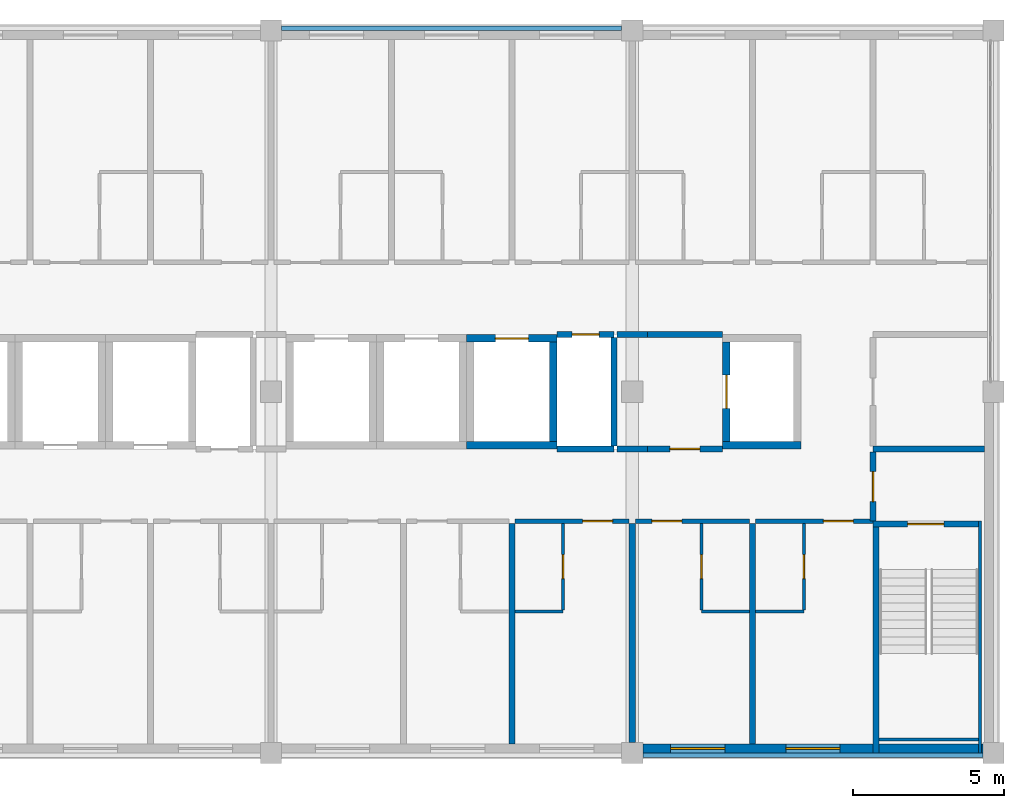
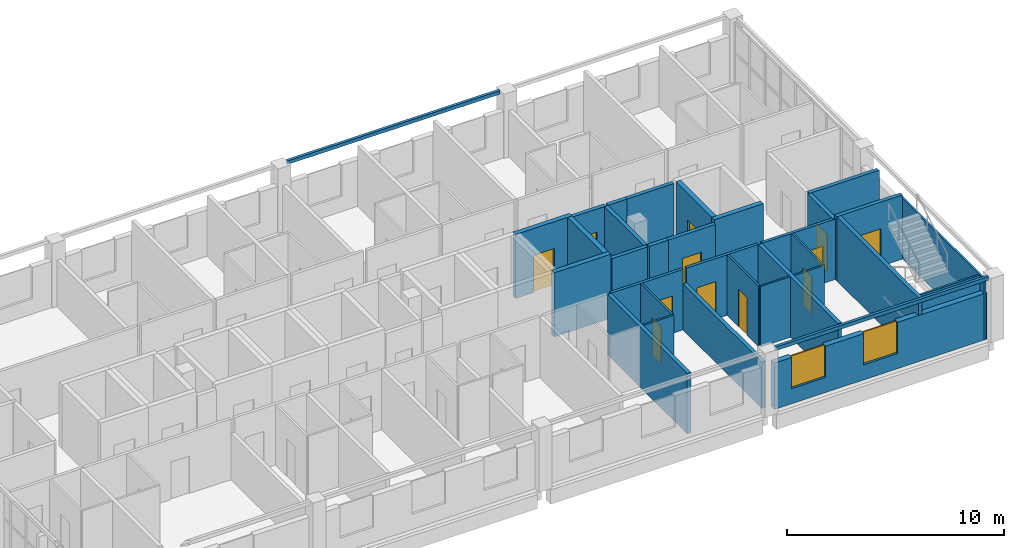
# One storey, part 9 of 11: 33 walls, 12 doors, 2 windows, 14 openings.
"""IFC4 building model written with IfcOpenShell, lengths in metres."""

import ifcopenshell
import ifcopenshell.guid

model = None  # the IFC model being written
_history = None  # IfcOwnerHistory: only IFC2X3 demands one
_inside = {}  # id of a spatial element -> (the spatial element, [elements in it])
_under = {}  # id of a project, library or spatial element -> (it, [spatial elements below it])
_declared = {}  # id of a project -> (the project, [libraries it declares])
_typed = {}  # id of a type object -> (the type object, [elements of that type])
_made_of = {}  # id of a material, layer set ... -> (it, [elements and type objects made of it])


def new_model(schema):
    """Start an empty IFC model of exactly this schema.

    Asked for "IFC4X3", IfcOpenShell would pick the latest addendum, in which some entities
    have other attributes; the version numbers below select the first issue.
    IFC2X3 requires an IfcOwnerHistory on every rooted entity: one is made here for all.
    """
    global model, _history
    if schema == "IFC4X3":
        model = ifcopenshell.file(schema_version=(4, 3, 0, 0))
    else:
        model = ifcopenshell.file(schema=schema)
    _inside.clear()
    _under.clear()
    _declared.clear()
    _typed.clear()
    _made_of.clear()
    _history = None
    if model.schema == "IFC2X3":
        org = make("IfcOrganization", Name="unknown")
        user = make(
            "IfcPersonAndOrganization",
            ThePerson=make("IfcPerson", FamilyName="unknown"),
            TheOrganization=org,
        )
        app = make(
            "IfcApplication",
            ApplicationDeveloper=org,
            Version="unknown",
            ApplicationFullName="unknown",
            ApplicationIdentifier="unknown",
        )
        _history = make(
            "IfcOwnerHistory",
            OwningUser=user,
            OwningApplication=app,
            ChangeAction="ADDED",
            CreationDate=0,
        )
    return model


def make(cls, **values):
    """One entity of the class cls with the attributes given. An attribute that is None is left unset."""
    return model.create_entity(
        cls, **{name: value for name, value in values.items() if value is not None}
    )


def rooted(cls, **values):
    """An entity with a GlobalId (a new one), such as an element, a storey or a relation."""
    return make(cls, GlobalId=ifcopenshell.guid.new(), OwnerHistory=_history, **values)


def si_unit(unit_type, name, prefix=None):
    """IfcSIUnit, for example si_unit("LENGTHUNIT", "METRE", prefix="MILLI")."""
    return make("IfcSIUnit", UnitType=unit_type, Prefix=prefix, Name=name)


def assignment(units):
    """IfcUnitAssignment: the units of a project."""
    return None if units is None else make("IfcUnitAssignment", Units=units)


def point(xyz):
    """IfcCartesianPoint."""
    return None if xyz is None else make("IfcCartesianPoint", Coordinates=xyz)


def direction(xyz):
    """IfcDirection."""
    return None if xyz is None else make("IfcDirection", DirectionRatios=xyz)


def frame(location, z_axis=None, x_axis=None):
    """IfcAxis2Placement3D, a coordinate frame: its origin and axes. An axis left out is left unset."""
    return make(
        "IfcAxis2Placement3D",
        Location=point(location),
        Axis=direction(z_axis),
        RefDirection=direction(x_axis),
    )


def frame_2d(location, x_axis=None):
    """IfcAxis2Placement2D, a coordinate frame in the plane: its origin and x axis."""
    return make(
        "IfcAxis2Placement2D", Location=point(location), RefDirection=direction(x_axis)
    )


def origin():
    """The frame at (0, 0, 0) with its axes left unset."""
    return frame((0.0, 0.0, 0.0))


def place(relative_to, where):
    """IfcLocalPlacement: puts the frame where relative to a parent placement (None: the world)."""
    return make(
        "IfcLocalPlacement", PlacementRelTo=relative_to, RelativePlacement=where
    )


def context(
    kind, dimensions, precision=None, world=None, true_north=None, identifier=None
):
    """IfcGeometricRepresentationContext, for example the 3D "Model" context."""
    return make(
        "IfcGeometricRepresentationContext",
        ContextIdentifier=identifier,
        ContextType=kind,
        CoordinateSpaceDimension=dimensions,
        Precision=precision,
        WorldCoordinateSystem=world,
        TrueNorth=true_north,
    )


def subcontext(parent, identifier, kind, view, scale=None):
    """IfcGeometricRepresentationSubContext, for example "Body" below "Model"."""
    return make(
        "IfcGeometricRepresentationSubContext",
        ContextIdentifier=identifier,
        ContextType=kind,
        ParentContext=parent,
        TargetScale=scale,
        TargetView=view,
    )


def project(units=None, contexts=None):
    """IfcProject with its units and contexts."""
    return rooted(
        "IfcProject",
        Name="project",
        RepresentationContexts=contexts,
        UnitsInContext=assignment(units),
    )


def spatial(cls, under=None, at=None, **own):
    """A site, building, storey or space (cls), placed at a placement, below another one or the project."""
    s = rooted(cls, ObjectPlacement=at, **own)
    if under is not None:
        _under.setdefault(under.id(), (under, []))[1].append(s)
    return s


def profile(cls, at=None, kind="AREA", **sizes):
    """A parametric profile (cls). Its sizes go by their IFC names, for example OverallWidth=200.0."""
    return make(cls, ProfileType=kind, Position=at, **sizes)


def rectangle(**sizes):
    """IfcRectangleProfileDef."""
    return profile("IfcRectangleProfileDef", **sizes)


def extrude(swept, where, along, depth):
    """IfcExtrudedAreaSolid: the profile swept, set in the frame where, extruded along a direction by depth."""
    return make(
        "IfcExtrudedAreaSolid",
        SweptArea=swept,
        Position=where,
        ExtrudedDirection=direction(along),
        Depth=depth,
    )


def shape(context_of_items, identifier, shape_type, items):
    """IfcShapeRepresentation: the items that make up one representation, for example the "Body"."""
    return make(
        "IfcShapeRepresentation",
        ContextOfItems=context_of_items,
        RepresentationIdentifier=identifier,
        RepresentationType=shape_type,
        Items=items,
    )


def material(Name=None, Category=None):
    """IfcMaterial."""
    return make("IfcMaterial", Name=Name, Category=Category)


def layer(
    of_material, thickness, ventilated=None, Name=None, Category=None, Priority=None
):
    """IfcMaterialLayer: one layer of a wall or slab, of a material (None: an air gap)."""
    return make(
        "IfcMaterialLayer",
        Material=of_material,
        LayerThickness=thickness,
        IsVentilated=ventilated,
        Name=Name,
        Category=Category,
        Priority=Priority,
    )


def layer_set(layers, Name=None):
    """IfcMaterialLayerSet."""
    return make("IfcMaterialLayerSet", MaterialLayers=layers, LayerSetName=Name)


def made_of(thing, what):
    """Note that an element or type object is made of a material, layer set ...; save() writes the relation."""
    if what is not None:
        _made_of.setdefault(what.id(), (what, []))[1].append(thing)
    return thing


def type_object(cls, material=None, **own):
    """A type object (cls), such as IfcWallType, which elements share."""
    return made_of(rooted(cls, **own), material)


def element(
    cls,
    number,
    at=None,
    inside=None,
    cuts=None,
    type_object=None,
    material=None,
    context=None,
    identifier="Body",
    shape_type=None,
    held_by="IfcProductDefinitionShape",
    body=None,
    shapes=None,
    **own,
):
    """One element of the class cls, such as IfcWall. Its Tag is "e" and its number.

    at: its placement. inside: the storey or other place that contains it. cuts: it is an
    opening in that element (IfcRelVoidsElement). A single representation is given by context,
    identifier, shape_type and body (its items); several are given by shapes. held_by: the class
    of the entity that holds the representations. save() writes the other relations.
    """
    e = rooted(cls, Tag="e%d" % number, ObjectPlacement=at, **own)
    if body is not None:
        shapes = [shape(context, identifier, shape_type, body)]
    if shapes is not None:
        e.Representation = make(held_by, Representations=shapes)
    if inside is not None:
        _inside.setdefault(inside.id(), (inside, []))[1].append(e)
    if cuts is not None:
        rooted(
            "IfcRelVoidsElement", RelatingBuildingElement=cuts, RelatedOpeningElement=e
        )
    if type_object is not None:
        _typed.setdefault(type_object.id(), (type_object, []))[1].append(e)
    return made_of(e, material)


def fill(opening, filler):
    """IfcRelFillsElement: the door or window that sits in an opening."""
    return rooted(
        "IfcRelFillsElement",
        RelatingOpeningElement=opening,
        RelatedBuildingElement=filler,
    )


def aggregate(whole, parts):
    """IfcRelAggregates: a whole, such as a stair, and the parts it consists of."""
    return rooted("IfcRelAggregates", RelatingObject=whole, RelatedObjects=parts)


def save(model, path):
    """Write the relations noted so far, then the file.

    IfcRelAggregates (storeys below a building ...), IfcRelContainedInSpatialStructure (elements
    in a storey), IfcRelDefinesByType, IfcRelAssociatesMaterial and IfcRelDeclares: one each for
    every whole, place, type object, material and project.
    """
    for whole, parts in _under.values():
        aggregate(whole, parts)
    for where, things in _inside.values():
        rooted(
            "IfcRelContainedInSpatialStructure",
            RelatedElements=things,
            RelatingStructure=where,
        )
    for kind, things in _typed.values():
        rooted("IfcRelDefinesByType", RelatedObjects=things, RelatingType=kind)
    for what, things in _made_of.values():
        rooted("IfcRelAssociatesMaterial", RelatedObjects=things, RelatingMaterial=what)
    for by, libraries in _declared.values():
        rooted("IfcRelDeclares", RelatingContext=by, RelatedDefinitions=libraries)
    model.write(path)


model = new_model("IFC4")

# Units and contexts
model_context = context("Model", 3, precision=1e-05, world=origin(), true_north=direction((0.0, 1.0)))
body_context = subcontext(model_context, "Body", "Model", "MODEL_VIEW")
ifc_project = project(units=[si_unit("LENGTHUNIT", "METRE"), si_unit("AREAUNIT", "SQUARE_METRE"), si_unit("VOLUMEUNIT", "CUBIC_METRE"), si_unit("PLANEANGLEUNIT", "RADIAN"), si_unit("MASSUNIT", "GRAM", prefix="KILO")], contexts=[model_context])

# Site, building, storey
site_placement = place(None, origin())
site = spatial("IfcSite", under=ifc_project, at=site_placement, CompositionType="ELEMENT")
building_placement = place(site_placement, origin())
building = spatial("IfcBuilding", under=site, at=building_placement, Name="Lilac Gate Convention Centre", CompositionType="ELEMENT")
storey_placement = place(building_placement, frame((0.0, 0.0, 53.39990234375)))
storey = spatial("IfcBuildingStorey", under=building, at=storey_placement, Name="L13", CompositionType="ELEMENT", Elevation=53.39990234375)

# Walls
ifc_material_1 = material(Name="Concrete C40", Category="concrete")
ifc_layer_1 = layer(ifc_material_1, 0.10009765625)
ifc_layer_set_1 = layer_set([ifc_layer_1], Name="Concrete C40")
wall_type_1 = type_object("IfcWallType", Name="Core wall 100 C40", PredefinedType="SHEAR", material=ifc_layer_set_1)
wall_1_placement = place(storey_placement, frame((89.550048828125, 229.699951171875, 0.0), z_axis=(0.0, 0.0, 1.0), x_axis=(0.0, -1.0, 0.0)))
element("IfcWall", 1, at=wall_1_placement, inside=storey, type_object=wall_type_1, Name="CRW10 core wall TS-EX L13 1", PredefinedType="SHEAR", context=body_context, shape_type="SweptSolid", body=[
    extrude(rectangle(XDim=7.699951171875, YDim=0.10009765625, at=frame_2d((3.85009765625, 0.0))), origin(), (0.0, 0.0, 1.0), 3.400146484375),
])
wall_2_placement = place(storey_placement, frame((89.5, 222.449951171875, 0.0), z_axis=(0.0, 0.0, 1.0), x_axis=(-1.0, 0.0, 0.0)))
element("IfcWall", 2, at=wall_2_placement, inside=storey, type_object=wall_type_1, Name="CRW10 core wall TS-EX L13 2", PredefinedType="SHEAR", context=body_context, shape_type="SweptSolid", body=[
    extrude(rectangle(XDim=3.300048828125, YDim=0.10009765625, at=frame_2d((1.64990234375, 0.0))), origin(), (0.0, 0.0, 1.0), 3.400146484375),
])

# Wall, opening, door
ifc_layer_2 = layer(ifc_material_1, 0.199951171875)
ifc_layer_set_2 = layer_set([ifc_layer_2], Name="Concrete C40")
wall_type_2 = type_object("IfcWallType", Name="Core wall 200 C40", PredefinedType="SHEAR", material=ifc_layer_set_2)
wall_3_placement = place(storey_placement, frame((89.5, 229.60009765625, 0.0), z_axis=(0.0, 0.0, 1.0), x_axis=(-1.0, 0.0, 0.0)))
wall_3 = element("IfcWall", 3, at=wall_3_placement, inside=storey, type_object=wall_type_2, Name="CRW7 core wall TS-E L13 1", PredefinedType="SHEAR", context=body_context, shape_type="SweptSolid", body=[
    extrude(rectangle(XDim=3.5, YDim=0.199951171875, at=frame_2d((1.75, 0.0))), origin(), (0.0, 0.0, 1.0), 3.60009765625),
])
opening_1_placement = place(wall_3_placement, frame((1.14990234375, 0.0, 0.0)))
opening_1 = element("IfcOpeningElement", 4, at=opening_1_placement, cuts=wall_3, Name="Opening T13-057", PredefinedType="OPENING", context=body_context, shape_type="SweptSolid", body=[
    extrude(rectangle(XDim=1.199951171875, YDim=2.10009765625, at=frame_2d((0.60009765625, 1.050048828125))), frame((0.0, 0.10986328125, 0.0), z_axis=(0.0, -1.0, 0.0), x_axis=(1.0, 0.0, 0.0)), (0.0, 0.0, 1.0), 0.219970703125),
])
ifc_material_2 = material(Name="Steel Q235B", Category="steel")
door_type_1 = type_object("IfcDoorType", Name="Stair door 1200", OperationType="SINGLE_SWING_LEFT", PredefinedType="DOOR", material=ifc_material_2)
door_1_placement = place(opening_1_placement, origin())
door_1 = element("IfcDoor", 5, at=door_1_placement, inside=storey, type_object=door_type_1, Name="Stair door SE L13", OperationType="SINGLE_SWING_RIGHT", OverallHeight=2.10009765625, OverallWidth=1.199951171875, PredefinedType="DOOR", context=body_context, shape_type="SweptSolid", body=[
    extrude(rectangle(XDim=1.199951171875, YDim=2.10009765625, at=frame_2d((0.60009765625, 1.050048828125))), frame((0.0, 0.02490234375, 0.0), z_axis=(0.0, -1.0, 0.0), x_axis=(1.0, 0.0, 0.0)), (0.0, 0.0, 1.0), 0.050048828125),
])
fill(opening_1, door_1)

# Walls
wall_4_placement = place(storey_placement, frame((86.10009765625, 222.0, 0.0), z_axis=(0.0, 0.0, 1.0), x_axis=(0.0, 1.0, 0.0)))
element("IfcWall", 6, at=wall_4_placement, inside=storey, type_object=wall_type_2, Name="CRW7 core wall TS-E L13 2", PredefinedType="SHEAR", context=body_context, shape_type="SweptSolid", body=[
    extrude(rectangle(XDim=7.5, YDim=0.199951171875, at=frame_2d((3.75, 0.0))), origin(), (0.0, 0.0, 1.0), 3.60009765625),
])
ifc_layer_3 = layer(ifc_material_1, 0.25)
ifc_layer_set_3 = layer_set([ifc_layer_3], Name="Concrete C40")
wall_type_3 = type_object("IfcWallType", Name="Core wall 250 C40", PredefinedType="SHEAR", material=ifc_layer_set_3)
wall_5_placement = place(storey_placement, frame((72.5, 232.22509765625, 0.0), z_axis=(0.0, 0.0, 1.0), x_axis=(1.0, 0.0, 0.0)))
element("IfcWall", 7, at=wall_5_placement, inside=storey, type_object=wall_type_3, Name="CRW5 core wall TC L13 21", PredefinedType="SHEAR", context=body_context, shape_type="SweptSolid", body=[
    extrude(rectangle(XDim=3.0, YDim=0.25, at=frame_2d((1.5, 0.0))), origin(), (0.0, 0.0, 1.0), 3.60009765625),
])

# Wall, opening, door
wall_6_placement = place(storey_placement, frame((72.5, 235.77490234375, 0.0), z_axis=(0.0, 0.0, 1.0), x_axis=(1.0, 0.0, 0.0)))
wall_6 = element("IfcWall", 8, at=wall_6_placement, inside=storey, type_object=wall_type_3, Name="CRW5 core wall TC L13 22", PredefinedType="SHEAR", context=body_context, shape_type="SweptSolid", body=[
    extrude(rectangle(XDim=3.0, YDim=0.25, at=frame_2d((1.5, 0.0))), origin(), (0.0, 0.0, 1.0), 3.60009765625),
])
opening_2_placement = place(wall_6_placement, frame((0.949951171875, 0.0, 0.0)))
opening_2 = element("IfcOpeningElement", 9, at=opening_2_placement, cuts=wall_6, Name="Opening T13-052", PredefinedType="OPENING", context=body_context, shape_type="SweptSolid", body=[
    extrude(rectangle(XDim=1.10009765625, YDim=2.10009765625, at=frame_2d((0.550048828125, 1.050048828125))), frame((0.0, 0.135009765625, 0.0), z_axis=(0.0, -1.0, 0.0), x_axis=(1.0, 0.0, 0.0)), (0.0, 0.0, 1.0), 0.27001953125),
])
ifc_material_3 = material(Name="Stainless steel 304", Category="steel")
door_type_2 = type_object("IfcDoorType", Name="Lift landing door 1100", OperationType="SLIDING_TO_LEFT", PredefinedType="DOOR", material=ifc_material_3)
door_2_placement = place(opening_2_placement, origin())
door_2 = element("IfcDoor", 10, at=door_2_placement, inside=storey, type_object=door_type_2, Name="Lift landing door TP6 L13", OperationType="SLIDING_TO_LEFT", OverallHeight=2.10009765625, OverallWidth=1.10009765625, PredefinedType="DOOR", context=body_context, shape_type="SweptSolid", body=[
    extrude(rectangle(XDim=1.10009765625, YDim=2.10009765625, at=frame_2d((0.550048828125, 1.050048828125))), frame((0.0, 0.02490234375, 0.0), z_axis=(0.0, -1.0, 0.0), x_axis=(1.0, 0.0, 0.0)), (0.0, 0.0, 1.0), 0.050048828125),
])
fill(opening_2, door_2)

# Walls
wall_7_placement = place(storey_placement, frame((75.375, 232.35009765625, 0.0), z_axis=(0.0, 0.0, 1.0), x_axis=(0.0, 1.0, 0.0)))
element("IfcWall", 11, at=wall_7_placement, inside=storey, type_object=wall_type_3, Name="CRW5 core wall TC L13 24", PredefinedType="SHEAR", context=body_context, shape_type="SweptSolid", body=[
    extrude(rectangle(XDim=3.2998046875, YDim=0.25, at=frame_2d((1.64990234375, 0.0))), origin(), (0.0, 0.0, 1.0), 3.60009765625),
])
wall_8_placement = place(storey_placement, frame((81.0, 232.22509765625, 0.0), z_axis=(0.0, 0.0, 1.0), x_axis=(1.0, 0.0, 0.0)))
element("IfcWall", 12, at=wall_8_placement, inside=storey, type_object=wall_type_3, Name="CRW5 core wall TC L13 33", PredefinedType="SHEAR", context=body_context, shape_type="SweptSolid", body=[
    extrude(rectangle(XDim=2.60009765625, YDim=0.25, at=frame_2d((1.300048828125, 0.0))), origin(), (0.0, 0.0, 1.0), 3.60009765625),
])

# Wall, opening, door
wall_9_placement = place(storey_placement, frame((81.125, 232.35009765625, 0.0), z_axis=(0.0, 0.0, 1.0), x_axis=(0.0, 1.0, 0.0)))
wall_9 = element("IfcWall", 13, at=wall_9_placement, inside=storey, type_object=wall_type_3, Name="CRW5 core wall TC L13 35", PredefinedType="SHEAR", context=body_context, shape_type="SweptSolid", body=[
    extrude(rectangle(XDim=3.2998046875, YDim=0.25, at=frame_2d((1.64990234375, 0.0))), origin(), (0.0, 0.0, 1.0), 3.60009765625),
])
opening_3_placement = place(wall_9_placement, frame((1.10009765625, 0.0, 0.0)))
opening_3 = element("IfcOpeningElement", 14, at=opening_3_placement, cuts=wall_9, Name="Opening T13-055", PredefinedType="OPENING", context=body_context, shape_type="SweptSolid", body=[
    extrude(rectangle(XDim=1.10009765625, YDim=2.10009765625, at=frame_2d((0.550048828125, 1.050048828125))), frame((0.0, 0.135009765625, 0.0), z_axis=(0.0, -1.0, 0.0), x_axis=(1.0, 0.0, 0.0)), (0.0, 0.0, 1.0), 0.27001953125),
])
door_3_placement = place(opening_3_placement, origin())
door_3 = element("IfcDoor", 15, at=door_3_placement, inside=storey, type_object=door_type_2, Name="Lift landing door TF1 L13", OperationType="SLIDING_TO_LEFT", OverallHeight=2.10009765625, OverallWidth=1.10009765625, PredefinedType="DOOR", context=body_context, shape_type="SweptSolid", body=[
    extrude(rectangle(XDim=1.10009765625, YDim=2.10009765625, at=frame_2d((0.550048828125, 1.050048828125))), frame((0.0, 0.02490234375, 0.0), z_axis=(0.0, -1.0, 0.0), x_axis=(1.0, 0.0, 0.0)), (0.0, 0.0, 1.0), 0.050048828125),
])
fill(opening_3, door_3)

ifc_material_4 = material(Name="Gypsum board on steel stud", Category="steel")
ifc_layer_4 = layer(ifc_material_4, 0.14990234375)
ifc_layer_set_4 = layer_set([ifc_layer_4], Name="Gypsum board on steel stud")
wall_type_4 = type_object("IfcWallType", Name="Corridor wall 150", PredefinedType="PARTITIONING", material=ifc_layer_set_4)
wall_10_placement = place(storey_placement, frame((77.89990234375, 229.699951171875, 0.0), z_axis=(0.0, 0.0, 1.0), x_axis=(-1.0, 0.0, 0.0)))
wall_10 = element("IfcWall", 16, at=wall_10_placement, inside=storey, type_object=wall_type_4, Name="Corridor wall 150 front 1308", PredefinedType="PARTITIONING", context=body_context, shape_type="SweptSolid", body=[
    extrude(rectangle(XDim=3.7998046875, YDim=0.14990234375, at=frame_2d((1.89990234375, 0.0))), origin(), (0.0, 0.0, 1.0), 3.400146484375),
])
opening_4_placement = place(wall_10_placement, frame((0.550048828125, 0.0, 0.0)))
opening_4 = element("IfcOpeningElement", 17, at=opening_4_placement, cuts=wall_10, Name="Opening T13-022", PredefinedType="OPENING", context=body_context, shape_type="SweptSolid", body=[
    extrude(rectangle(XDim=1.0, YDim=2.10009765625, at=frame_2d((0.5, 1.050048828125))), frame((0.0, 0.0849609375, 0.0), z_axis=(0.0, -1.0, 0.0), x_axis=(1.0, 0.0, 0.0)), (0.0, 0.0, 1.0), 0.169921875),
])
ifc_material_5 = material(Name="Timber", Category="wood")
door_type_3 = type_object("IfcDoorType", Name="Guest room entrance door 1000", OperationType="SINGLE_SWING_LEFT", PredefinedType="DOOR", material=ifc_material_5)
door_4_placement = place(opening_4_placement, origin())
door_4 = element("IfcDoor", 18, at=door_4_placement, inside=storey, type_object=door_type_3, Name="Guest room door 1308", OperationType="SINGLE_SWING_LEFT", OverallHeight=2.10009765625, OverallWidth=1.0, PredefinedType="DOOR", context=body_context, shape_type="SweptSolid", body=[
    extrude(rectangle(XDim=1.0, YDim=2.10009765625, at=frame_2d((0.5, 1.050048828125))), frame((0.0, 0.02490234375, 0.0), z_axis=(0.0, -1.0, 0.0), x_axis=(1.0, 0.0, 0.0)), (0.0, 0.0, 1.0), 0.050048828125),
])
fill(opening_4, door_4)

wall_11_placement = place(storey_placement, frame((81.89990234375, 229.699951171875, 0.0), z_axis=(0.0, 0.0, 1.0), x_axis=(-1.0, 0.0, 0.0)))
wall_11 = element("IfcWall", 19, at=wall_11_placement, inside=storey, type_object=wall_type_4, Name="Corridor wall 150 front 1309", PredefinedType="PARTITIONING", context=body_context, shape_type="SweptSolid", body=[
    extrude(rectangle(XDim=3.7998046875, YDim=0.14990234375, at=frame_2d((1.89990234375, 0.0))), origin(), (0.0, 0.0, 1.0), 3.400146484375),
])
opening_5_placement = place(wall_11_placement, frame((2.25, 0.0, 0.0)))
opening_5 = element("IfcOpeningElement", 20, at=opening_5_placement, cuts=wall_11, Name="Opening T13-024", PredefinedType="OPENING", context=body_context, shape_type="SweptSolid", body=[
    extrude(rectangle(XDim=1.0, YDim=2.10009765625, at=frame_2d((0.5, 1.050048828125))), frame((0.0, 0.0849609375, 0.0), z_axis=(0.0, -1.0, 0.0), x_axis=(1.0, 0.0, 0.0)), (0.0, 0.0, 1.0), 0.169921875),
])
door_5_placement = place(opening_5_placement, origin())
door_5 = element("IfcDoor", 21, at=door_5_placement, inside=storey, type_object=door_type_3, Name="Guest room door 1309", OperationType="SINGLE_SWING_LEFT", OverallHeight=2.10009765625, OverallWidth=1.0, PredefinedType="DOOR", context=body_context, shape_type="SweptSolid", body=[
    extrude(rectangle(XDim=1.0, YDim=2.10009765625, at=frame_2d((0.5, 1.050048828125))), frame((0.0, 0.02490234375, 0.0), z_axis=(0.0, -1.0, 0.0), x_axis=(1.0, 0.0, 0.0)), (0.0, 0.0, 1.0), 0.050048828125),
])
fill(opening_5, door_5)

wall_12_placement = place(storey_placement, frame((86.0, 229.699951171875, 0.0), z_axis=(0.0, 0.0, 1.0), x_axis=(-1.0, 0.0, 0.0)))
wall_12 = element("IfcWall", 22, at=wall_12_placement, inside=storey, type_object=wall_type_4, Name="Corridor wall 150 front 1310", PredefinedType="PARTITIONING", context=body_context, shape_type="SweptSolid", body=[
    extrude(rectangle(XDim=3.89990234375, YDim=0.14990234375, at=frame_2d((1.949951171875, 0.0))), origin(), (0.0, 0.0, 1.0), 3.400146484375),
])
opening_6_placement = place(wall_12_placement, frame((0.64990234375, 0.0, 0.0)))
opening_6 = element("IfcOpeningElement", 23, at=opening_6_placement, cuts=wall_12, Name="Opening T13-026", PredefinedType="OPENING", context=body_context, shape_type="SweptSolid", body=[
    extrude(rectangle(XDim=1.0, YDim=2.10009765625, at=frame_2d((0.5, 1.050048828125))), frame((0.0, 0.0849609375, 0.0), z_axis=(0.0, -1.0, 0.0), x_axis=(1.0, 0.0, 0.0)), (0.0, 0.0, 1.0), 0.169921875),
])
door_6_placement = place(opening_6_placement, origin())
door_6 = element("IfcDoor", 24, at=door_6_placement, inside=storey, type_object=door_type_3, Name="Guest room door 1310", OperationType="SINGLE_SWING_LEFT", OverallHeight=2.10009765625, OverallWidth=1.0, PredefinedType="DOOR", context=body_context, shape_type="SweptSolid", body=[
    extrude(rectangle(XDim=1.0, YDim=2.10009765625, at=frame_2d((0.5, 1.050048828125))), frame((0.0, 0.02490234375, 0.0), z_axis=(0.0, -1.0, 0.0), x_axis=(1.0, 0.0, 0.0)), (0.0, 0.0, 1.0), 0.050048828125),
])
fill(opening_6, door_6)

# Wall
ifc_layer_5 = layer(ifc_material_4, 0.10009765625)
ifc_layer_set_5 = layer_set([ifc_layer_5], Name="Gypsum board on steel stud")
wall_type_5 = type_object("IfcWallType", Name="En-suite wall 100", PredefinedType="PARTITIONING", material=ifc_layer_set_5)
wall_13_placement = place(storey_placement, frame((74.10009765625, 226.699951171875, 0.0), z_axis=(0.0, 0.0, 1.0), x_axis=(1.0, 0.0, 0.0)))
element("IfcWall", 25, at=wall_13_placement, inside=storey, type_object=wall_type_5, Name="En-suite wall 100 bath 1308", PredefinedType="PARTITIONING", context=body_context, shape_type="SweptSolid", body=[
    extrude(rectangle(XDim=1.599853515625, YDim=0.10009765625, at=frame_2d((0.7998046875, 0.0))), origin(), (0.0, 0.0, 1.0), 3.400146484375),
])

# Wall, opening, door
wall_14_placement = place(storey_placement, frame((75.699951171875, 229.625, 0.0), z_axis=(0.0, 0.0, 1.0), x_axis=(0.0, -1.0, 0.0)))
wall_14 = element("IfcWall", 26, at=wall_14_placement, inside=storey, type_object=wall_type_5, Name="En-suite wall 100 bath side 1308", PredefinedType="PARTITIONING", context=body_context, shape_type="SweptSolid", body=[
    extrude(rectangle(XDim=2.875, YDim=0.10009765625, at=frame_2d((1.4375, 0.0))), origin(), (0.0, 0.0, 1.0), 3.400146484375),
])
opening_7_placement = place(wall_14_placement, frame((1.03759765625, 0.0, 0.0)))
opening_7 = element("IfcOpeningElement", 27, at=opening_7_placement, cuts=wall_14, Name="Opening T13-023", PredefinedType="OPENING", context=body_context, shape_type="SweptSolid", body=[
    extrude(rectangle(XDim=0.800048828125, YDim=2.10009765625, at=frame_2d((0.39990234375, 1.050048828125))), frame((0.0, 0.06005859375, 0.0), z_axis=(0.0, -1.0, 0.0), x_axis=(1.0, 0.0, 0.0)), (0.0, 0.0, 1.0), 0.1201171875),
])
door_type_4 = type_object("IfcDoorType", Name="En-suite door 800", OperationType="SINGLE_SWING_LEFT", PredefinedType="DOOR", material=ifc_material_5)
door_7_placement = place(opening_7_placement, origin())
door_7 = element("IfcDoor", 28, at=door_7_placement, inside=storey, type_object=door_type_4, Name="En-suite door 1308", OperationType="SINGLE_SWING_LEFT", OverallHeight=2.10009765625, OverallWidth=0.800048828125, PredefinedType="DOOR", context=body_context, shape_type="SweptSolid", body=[
    extrude(rectangle(XDim=0.800048828125, YDim=2.10009765625, at=frame_2d((0.39990234375, 1.050048828125))), frame((0.0, 0.02490234375, 0.0), z_axis=(0.0, -1.0, 0.0), x_axis=(1.0, 0.0, 0.0)), (0.0, 0.0, 1.0), 0.050048828125),
])
fill(opening_7, door_7)

# Wall
wall_15_placement = place(storey_placement, frame((80.300048828125, 226.699951171875, 0.0), z_axis=(0.0, 0.0, 1.0), x_axis=(1.0, 0.0, 0.0)))
element("IfcWall", 29, at=wall_15_placement, inside=storey, type_object=wall_type_5, Name="En-suite wall 100 bath 1309", PredefinedType="PARTITIONING", context=body_context, shape_type="SweptSolid", body=[
    extrude(rectangle(XDim=1.599853515625, YDim=0.10009765625, at=frame_2d((0.7998046875, 0.0))), origin(), (0.0, 0.0, 1.0), 3.400146484375),
])

# Wall, opening, door
wall_16_placement = place(storey_placement, frame((80.300048828125, 226.75, 0.0), z_axis=(0.0, 0.0, 1.0), x_axis=(0.0, 1.0, 0.0)))
wall_16 = element("IfcWall", 30, at=wall_16_placement, inside=storey, type_object=wall_type_5, Name="En-suite wall 100 bath side 1309", PredefinedType="PARTITIONING", context=body_context, shape_type="SweptSolid", body=[
    extrude(rectangle(XDim=2.875, YDim=0.10009765625, at=frame_2d((1.4375, 0.0))), origin(), (0.0, 0.0, 1.0), 3.400146484375),
])
opening_8_placement = place(wall_16_placement, frame((1.03759765625, 0.0, 0.0)))
opening_8 = element("IfcOpeningElement", 31, at=opening_8_placement, cuts=wall_16, Name="Opening T13-025", PredefinedType="OPENING", context=body_context, shape_type="SweptSolid", body=[
    extrude(rectangle(XDim=0.800048828125, YDim=2.10009765625, at=frame_2d((0.39990234375, 1.050048828125))), frame((0.0, 0.06005859375, 0.0), z_axis=(0.0, -1.0, 0.0), x_axis=(1.0, 0.0, 0.0)), (0.0, 0.0, 1.0), 0.1201171875),
])
door_8_placement = place(opening_8_placement, origin())
door_8 = element("IfcDoor", 32, at=door_8_placement, inside=storey, type_object=door_type_4, Name="En-suite door 1309", OperationType="SINGLE_SWING_RIGHT", OverallHeight=2.10009765625, OverallWidth=0.800048828125, PredefinedType="DOOR", context=body_context, shape_type="SweptSolid", body=[
    extrude(rectangle(XDim=0.800048828125, YDim=2.10009765625, at=frame_2d((0.39990234375, 1.050048828125))), frame((0.0, 0.02490234375, 0.0), z_axis=(0.0, -1.0, 0.0), x_axis=(1.0, 0.0, 0.0)), (0.0, 0.0, 1.0), 0.050048828125),
])
fill(opening_8, door_8)

# Wall
wall_17_placement = place(storey_placement, frame((82.10009765625, 226.699951171875, 0.0), z_axis=(0.0, 0.0, 1.0), x_axis=(1.0, 0.0, 0.0)))
element("IfcWall", 33, at=wall_17_placement, inside=storey, type_object=wall_type_5, Name="En-suite wall 100 bath 1310", PredefinedType="PARTITIONING", context=body_context, shape_type="SweptSolid", body=[
    extrude(rectangle(XDim=1.599853515625, YDim=0.10009765625, at=frame_2d((0.7998046875, 0.0))), origin(), (0.0, 0.0, 1.0), 3.400146484375),
])

# Wall, opening, door
wall_18_placement = place(storey_placement, frame((83.699951171875, 229.625, 0.0), z_axis=(0.0, 0.0, 1.0), x_axis=(0.0, -1.0, 0.0)))
wall_18 = element("IfcWall", 34, at=wall_18_placement, inside=storey, type_object=wall_type_5, Name="En-suite wall 100 bath side 1310", PredefinedType="PARTITIONING", context=body_context, shape_type="SweptSolid", body=[
    extrude(rectangle(XDim=2.875, YDim=0.10009765625, at=frame_2d((1.4375, 0.0))), origin(), (0.0, 0.0, 1.0), 3.400146484375),
])
opening_9_placement = place(wall_18_placement, frame((1.03759765625, 0.0, 0.0)))
opening_9 = element("IfcOpeningElement", 35, at=opening_9_placement, cuts=wall_18, Name="Opening T13-027", PredefinedType="OPENING", context=body_context, shape_type="SweptSolid", body=[
    extrude(rectangle(XDim=0.800048828125, YDim=2.10009765625, at=frame_2d((0.39990234375, 1.050048828125))), frame((0.0, 0.06005859375, 0.0), z_axis=(0.0, -1.0, 0.0), x_axis=(1.0, 0.0, 0.0)), (0.0, 0.0, 1.0), 0.1201171875),
])
door_9_placement = place(opening_9_placement, origin())
door_9 = element("IfcDoor", 36, at=door_9_placement, inside=storey, type_object=door_type_4, Name="En-suite door 1310", OperationType="SINGLE_SWING_LEFT", OverallHeight=2.10009765625, OverallWidth=0.800048828125, PredefinedType="DOOR", context=body_context, shape_type="SweptSolid", body=[
    extrude(rectangle(XDim=0.800048828125, YDim=2.10009765625, at=frame_2d((0.39990234375, 1.050048828125))), frame((0.0, 0.02490234375, 0.0), z_axis=(0.0, -1.0, 0.0), x_axis=(1.0, 0.0, 0.0)), (0.0, 0.0, 1.0), 0.050048828125),
])
fill(opening_9, door_9)

# Walls
ifc_layer_6 = layer(ifc_material_4, 0.199951171875)
ifc_layer_set_6 = layer_set([ifc_layer_6], Name="Gypsum board on steel stud")
wall_type_6 = type_object("IfcWallType", Name="Guest room party wall 200", PredefinedType="PARTITIONING", material=ifc_layer_set_6)
wall_19_placement = place(storey_placement, frame((74.0, 222.2998046875, 0.0), z_axis=(0.0, 0.0, 1.0), x_axis=(0.0, 1.0, 0.0)))
element("IfcWall", 37, at=wall_19_placement, inside=storey, type_object=wall_type_6, Name="Guest room party wall 200 party 74.0", PredefinedType="PARTITIONING", context=body_context, shape_type="SweptSolid", body=[
    extrude(rectangle(XDim=7.3251953125, YDim=0.199951171875, at=frame_2d((3.66259765625, 0.0))), origin(), (0.0, 0.0, 1.0), 3.400146484375),
])
wall_20_placement = place(storey_placement, frame((78.0, 222.35009765625, 0.0), z_axis=(0.0, 0.0, 1.0), x_axis=(0.0, 1.0, 0.0)))
element("IfcWall", 38, at=wall_20_placement, inside=storey, type_object=wall_type_6, Name="Guest room party wall 200 party 78.0", PredefinedType="PARTITIONING", context=body_context, shape_type="SweptSolid", body=[
    extrude(rectangle(XDim=7.27490234375, YDim=0.199951171875, at=frame_2d((3.637451171875, 0.0))), origin(), (0.0, 0.0, 1.0), 2.60009765625),
])
wall_21_placement = place(storey_placement, frame((82.0, 222.2998046875, 0.0), z_axis=(0.0, 0.0, 1.0), x_axis=(0.0, 1.0, 0.0)))
element("IfcWall", 39, at=wall_21_placement, inside=storey, type_object=wall_type_6, Name="Guest room party wall 200 party 82.0", PredefinedType="PARTITIONING", context=body_context, shape_type="SweptSolid", body=[
    extrude(rectangle(XDim=7.3251953125, YDim=0.199951171875, at=frame_2d((3.66259765625, 0.0))), origin(), (0.0, 0.0, 1.0), 3.400146484375),
])

# Wall, opening, door
ifc_layer_7 = layer(ifc_material_4, 0.199951171875)
ifc_layer_set_7 = layer_set([ifc_layer_7], Name="Gypsum board on steel stud")
wall_type_7 = type_object("IfcWallType", Name="Lobby wall 200", PredefinedType="PARTITIONING", material=ifc_layer_set_7)
wall_22_placement = place(storey_placement, frame((78.5, 232.10009765625, 0.0), z_axis=(0.0, 0.0, 1.0), x_axis=(1.0, 0.0, 0.0)))
wall_22 = element("IfcWall", 40, at=wall_22_placement, inside=storey, type_object=wall_type_7, Name="Lobby wall 200 FFL-S", PredefinedType="PARTITIONING", context=body_context, shape_type="SweptSolid", body=[
    extrude(rectangle(XDim=2.5, YDim=0.199951171875, at=frame_2d((1.25, 0.0))), origin(), (0.0, 0.0, 1.0), 3.400146484375),
])
opening_10_placement = place(wall_22_placement, frame((0.75, 0.0, 0.0)))
opening_10 = element("IfcOpeningElement", 41, at=opening_10_placement, cuts=wall_22, Name="Opening T13-004", PredefinedType="OPENING", context=body_context, shape_type="SweptSolid", body=[
    extrude(rectangle(XDim=1.0, YDim=2.10009765625, at=frame_2d((0.5, 1.050048828125))), frame((0.0, 0.10986328125, 0.0), z_axis=(0.0, -1.0, 0.0), x_axis=(1.0, 0.0, 0.0)), (0.0, 0.0, 1.0), 0.219970703125),
])
door_type_5 = type_object("IfcDoorType", Name="Lobby door 1000", OperationType="SINGLE_SWING_LEFT", PredefinedType="DOOR", material=ifc_material_2)
door_10_placement = place(opening_10_placement, origin())
door_10 = element("IfcDoor", 42, at=door_10_placement, inside=storey, type_object=door_type_5, Name="Firefighting lobby door", OperationType="SINGLE_SWING_RIGHT", OverallHeight=2.10009765625, OverallWidth=1.0, PredefinedType="DOOR", context=body_context, shape_type="SweptSolid", body=[
    extrude(rectangle(XDim=1.0, YDim=2.10009765625, at=frame_2d((0.5, 1.050048828125))), frame((0.0, 0.02490234375, 0.0), z_axis=(0.0, -1.0, 0.0), x_axis=(1.0, 0.0, 0.0)), (0.0, 0.0, 1.0), 0.050048828125),
])
fill(opening_10, door_10)

# Walls
wall_23_placement = place(storey_placement, frame((86.0, 232.10009765625, 0.0), z_axis=(0.0, 0.0, 1.0), x_axis=(1.0, 0.0, 0.0)))
element("IfcWall", 43, at=wall_23_placement, inside=storey, type_object=wall_type_7, Name="Lobby wall 200 STL-N", PredefinedType="PARTITIONING", context=body_context, shape_type="SweptSolid", body=[
    extrude(rectangle(XDim=3.7001953125, YDim=0.199951171875, at=frame_2d((1.85009765625, 0.0))), origin(), (0.0, 0.0, 1.0), 3.400146484375),
])
wall_24_placement = place(storey_placement, frame((78.5, 235.89990234375, 0.0), z_axis=(0.0, 0.0, 1.0), x_axis=(1.0, 0.0, 0.0)))
element("IfcWall", 44, at=wall_24_placement, inside=storey, type_object=wall_type_7, Name="Lobby wall 200 FFL-N", PredefinedType="PARTITIONING", context=body_context, shape_type="SweptSolid", body=[
    extrude(rectangle(XDim=2.5, YDim=0.199951171875, at=frame_2d((1.25, 0.0))), origin(), (0.0, 0.0, 1.0), 3.400146484375),
])

# Wall, opening, door
wall_25_placement = place(storey_placement, frame((86.0, 232.0, 0.0), z_axis=(0.0, 0.0, 1.0), x_axis=(0.0, -1.0, 0.0)))
wall_25 = element("IfcWall", 45, at=wall_25_placement, inside=storey, type_object=wall_type_7, Name="Lobby wall 200 STL-SE-W", PredefinedType="PARTITIONING", context=body_context, shape_type="SweptSolid", body=[
    extrude(rectangle(XDim=2.300048828125, YDim=0.199951171875, at=frame_2d((1.14990234375, 0.0))), origin(), (0.0, 0.0, 1.0), 3.400146484375),
])
opening_11_placement = place(wall_25_placement, frame((0.64990234375, 0.0, 0.0)))
opening_11 = element("IfcOpeningElement", 46, at=opening_11_placement, cuts=wall_25, Name="Opening T13-007", PredefinedType="OPENING", context=body_context, shape_type="SweptSolid", body=[
    extrude(rectangle(XDim=1.0, YDim=2.10009765625, at=frame_2d((0.5, 1.050048828125))), frame((0.0, 0.10986328125, 0.0), z_axis=(0.0, -1.0, 0.0), x_axis=(1.0, 0.0, 0.0)), (0.0, 0.0, 1.0), 0.219970703125),
])
door_11_placement = place(opening_11_placement, origin())
door_11 = element("IfcDoor", 47, at=door_11_placement, inside=storey, type_object=door_type_5, Name="Stair lobby door SE", OperationType="SINGLE_SWING_LEFT", OverallHeight=2.10009765625, OverallWidth=1.0, PredefinedType="DOOR", context=body_context, shape_type="SweptSolid", body=[
    extrude(rectangle(XDim=1.0, YDim=2.10009765625, at=frame_2d((0.5, 1.050048828125))), frame((0.0, 0.02490234375, 0.0), z_axis=(0.0, -1.0, 0.0), x_axis=(1.0, 0.0, 0.0)), (0.0, 0.0, 1.0), 0.050048828125),
])
fill(opening_11, door_11)

# Walls
ifc_material_6 = material(Name="Concrete C40 precast", Category="concrete")
ifc_layer_8 = layer(ifc_material_6, 0.1298828125)
ifc_material_7 = material(Name="Ochre mineral render")
ifc_layer_9 = layer(ifc_material_7, 0.02001953125)
ifc_layer_set_8 = layer_set([ifc_layer_8, ifc_layer_9], Name="Concrete C40 precast, Ochre mineral render")
wall_type_8 = type_object("IfcWallType", Name="Precast band ochre 150", PredefinedType="STANDARD", material=ifc_layer_set_8)
for number, where, z_axis, x_axis, name in (
    (48, (78.35009765625, 221.925048828125, 3.400146484375), (0.0, 0.0, 1.0), (1.0, 0.0, 0.0), "Precast band S L13 4"),
    (49, (77.64990234375, 246.074951171875, 3.400146484375), (0.0, 0.0, 1.0), (-1.0, 0.0, 0.0), "Precast band N L13 2"),
):
    element("IfcWall", number, at=place(storey_placement, frame(where, z_axis=z_axis, x_axis=x_axis)), inside=storey, type_object=wall_type_8, Name=name, PredefinedType="STANDARD", context=body_context, shape_type="SweptSolid", body=[
        extrude(rectangle(XDim=11.2998046875, YDim=0.14990234375, at=frame_2d((5.64990234375, 0.0))), origin(), (0.0, 0.0, 1.0), 0.199951171875),
    ])

# Wall, openings, windows
ifc_material_8 = material(Name="Terracotta glazed cladding", Category="masonry")
ifc_layer_10 = layer(ifc_material_8, 0.02001953125)
ifc_layer_11 = layer(ifc_material_6, 0.06005859375)
ifc_material_9 = material(Name="Ventilated air cavity")
ifc_layer_12 = layer(ifc_material_9, 0.030029296875)
ifc_material_10 = material(Name="Mineral wool insulation")
ifc_layer_13 = layer(ifc_material_10, 0.1201171875)
ifc_material_11 = material(Name="Steel stud Q345 and gypsum lining", Category="steel")
ifc_layer_14 = layer(ifc_material_11, 0.070068359375)
ifc_layer_set_9 = layer_set([ifc_layer_10, ifc_layer_11, ifc_layer_12, ifc_layer_13, ifc_layer_14], Name="Terracotta glazed cladding, Concrete C40 precast, Ventilated air cavity, Mineral wool insulation, Steel stud Q345 and gypsum lining")
wall_type_9 = type_object("IfcWallType", Name="Precast panel wall terracotta 300", PredefinedType="STANDARD", material=ifc_layer_set_9)
wall_26_placement = place(storey_placement, frame((78.35009765625, 222.14990234375, 0.0), z_axis=(0.0, 0.0, 1.0), x_axis=(1.0, 0.0, 0.0)))
wall_26 = element("IfcWall", 50, at=wall_26_placement, inside=storey, type_object=wall_type_9, Name="External wall S L13 4", PredefinedType="STANDARD", context=body_context, shape_type="SweptSolid", body=[
    extrude(rectangle(XDim=11.2998046875, YDim=0.300048828125, at=frame_2d((5.64990234375, 0.0))), origin(), (0.0, 0.0, 1.0), 2.60009765625),
])
opening_12_placement = place(wall_26_placement, frame((0.925048828125, 0.0, 0.85009765625)))
opening_12 = element("IfcOpeningElement", 51, at=opening_12_placement, cuts=wall_26, Name="Opening W1", PredefinedType="OPENING", context=body_context, shape_type="SweptSolid", body=[
    extrude(rectangle(XDim=1.800048828125, YDim=1.75, at=frame_2d((0.89990234375, 0.875))), frame((0.0, 0.159912109375, 0.0), z_axis=(0.0, -1.0, 0.0), x_axis=(1.0, 0.0, 0.0)), (0.0, 0.0, 1.0), 0.320068359375),
])
opening_13_placement = place(wall_26_placement, frame((4.75, 0.0, 0.85009765625)))
opening_13 = element("IfcOpeningElement", 52, at=opening_13_placement, cuts=wall_26, Name="Opening W1", PredefinedType="OPENING", context=body_context, shape_type="SweptSolid", body=[
    extrude(rectangle(XDim=1.800048828125, YDim=1.75, at=frame_2d((0.89990234375, 0.875))), frame((0.0, 0.159912109375, 0.0), z_axis=(0.0, -1.0, 0.0), x_axis=(1.0, 0.0, 0.0)), (0.0, 0.0, 1.0), 0.320068359375),
])
ifc_material_12 = material(Name="Aluminium framed double glazing", Category="aluminium")
window_type = type_object("IfcWindowType", Name="Guest room window 1800 x 1750", PartitioningType="DOUBLE_PANEL_VERTICAL", PredefinedType="WINDOW", material=ifc_material_12)
window_1_placement = place(opening_12_placement, origin())
window_1 = element("IfcWindow", 53, at=window_1_placement, inside=storey, type_object=window_type, Name="Window Guest S L13", OverallHeight=1.75, OverallWidth=1.800048828125, PartitioningType="SINGLE_PANEL", PredefinedType="WINDOW", context=body_context, shape_type="SweptSolid", body=[
    extrude(rectangle(XDim=1.800048828125, YDim=1.75, at=frame_2d((0.89990234375, 0.875))), frame((0.0, 0.030029296875, 0.0), z_axis=(0.0, -1.0, 0.0), x_axis=(1.0, 0.0, 0.0)), (0.0, 0.0, 1.0), 0.06005859375),
])
fill(opening_12, window_1)
window_2_placement = place(opening_13_placement, origin())
window_2 = element("IfcWindow", 54, at=window_2_placement, inside=storey, type_object=window_type, Name="Window Guest S L13", OverallHeight=1.75, OverallWidth=1.800048828125, PartitioningType="SINGLE_PANEL", PredefinedType="WINDOW", context=body_context, shape_type="SweptSolid", body=[
    extrude(rectangle(XDim=1.800048828125, YDim=1.75, at=frame_2d((0.89990234375, 0.875))), frame((0.0, 0.030029296875, 0.0), z_axis=(0.0, -1.0, 0.0), x_axis=(1.0, 0.0, 0.0)), (0.0, 0.0, 1.0), 0.06005859375),
])
fill(opening_13, window_2)

# Walls
ifc_layer_15 = layer(ifc_material_4, 0.199951171875)
ifc_layer_set_10 = layer_set([ifc_layer_15], Name="Gypsum board on steel stud")
wall_type_10 = type_object("IfcWallType", Name="Riser and store wall 200", PredefinedType="PARTITIONING", material=ifc_layer_set_10)
wall_27_placement = place(storey_placement, frame((75.5, 232.10009765625, 0.0), z_axis=(0.0, 0.0, 1.0), x_axis=(1.0, 0.0, 0.0)))
element("IfcWall", 55, at=wall_27_placement, inside=storey, type_object=wall_type_10, Name="Riser and store wall 200 RS2-S", PredefinedType="PARTITIONING", context=body_context, shape_type="SweptSolid", body=[
    extrude(rectangle(XDim=1.89990234375, YDim=0.199951171875, at=frame_2d((0.949951171875, 0.0))), origin(), (0.0, 0.0, 1.0), 3.400146484375),
])
wall_28_placement = place(storey_placement, frame((77.5, 232.10009765625, 0.0), z_axis=(0.0, 0.0, 1.0), x_axis=(1.0, 0.0, 0.0)))
element("IfcWall", 56, at=wall_28_placement, inside=storey, type_object=wall_type_10, Name="Riser and store wall 200 NICHE3-S", PredefinedType="PARTITIONING", context=body_context, shape_type="SweptSolid", body=[
    extrude(rectangle(XDim=1.0, YDim=0.199951171875, at=frame_2d((0.5, 0.0))), origin(), (0.0, 0.0, 1.0), 3.400146484375),
])

# Wall, opening, door
wall_29_placement = place(storey_placement, frame((77.39990234375, 235.89990234375, 0.0), z_axis=(0.0, 0.0, 1.0), x_axis=(-1.0, 0.0, 0.0)))
wall_29 = element("IfcWall", 57, at=wall_29_placement, inside=storey, type_object=wall_type_10, Name="Riser and store wall 200 RS2-N", PredefinedType="PARTITIONING", context=body_context, shape_type="SweptSolid", body=[
    extrude(rectangle(XDim=1.89990234375, YDim=0.199951171875, at=frame_2d((0.949951171875, 0.0))), origin(), (0.0, 0.0, 1.0), 3.400146484375),
])
opening_14_placement = place(wall_29_placement, frame((0.5, 0.0, 0.0)))
opening_14 = element("IfcOpeningElement", 58, at=opening_14_placement, cuts=wall_29, Name="Opening T13-003", PredefinedType="OPENING", context=body_context, shape_type="SweptSolid", body=[
    extrude(rectangle(XDim=0.89990234375, YDim=2.10009765625, at=frame_2d((0.449951171875, 1.050048828125))), frame((0.0, 0.10986328125, 0.0), z_axis=(0.0, -1.0, 0.0), x_axis=(1.0, 0.0, 0.0)), (0.0, 0.0, 1.0), 0.219970703125),
])
door_type_6 = type_object("IfcDoorType", Name="Riser and store door 900", OperationType="SINGLE_SWING_LEFT", PredefinedType="DOOR", material=ifc_material_2)
door_12_placement = place(opening_14_placement, origin())
door_12 = element("IfcDoor", 59, at=door_12_placement, inside=storey, type_object=door_type_6, Name="Riser room door", OperationType="SINGLE_SWING_LEFT", OverallHeight=2.10009765625, OverallWidth=0.89990234375, PredefinedType="DOOR", context=body_context, shape_type="SweptSolid", body=[
    extrude(rectangle(XDim=0.89990234375, YDim=2.10009765625, at=frame_2d((0.449951171875, 1.050048828125))), frame((0.0, 0.02490234375, 0.0), z_axis=(0.0, -1.0, 0.0), x_axis=(1.0, 0.0, 0.0)), (0.0, 0.0, 1.0), 0.050048828125),
])
fill(opening_14, door_12)

# Walls
wall_30_placement = place(storey_placement, frame((77.5, 235.89990234375, 0.0), z_axis=(0.0, 0.0, 1.0), x_axis=(1.0, 0.0, 0.0)))
element("IfcWall", 60, at=wall_30_placement, inside=storey, type_object=wall_type_10, Name="Riser and store wall 200 NICHE3-N", PredefinedType="PARTITIONING", context=body_context, shape_type="SweptSolid", body=[
    extrude(rectangle(XDim=1.0, YDim=0.199951171875, at=frame_2d((0.5, 0.0))), origin(), (0.0, 0.0, 1.0), 3.400146484375),
])
wall_31_placement = place(storey_placement, frame((77.39990234375, 232.199951171875, 0.0), z_axis=(0.0, 0.0, 1.0), x_axis=(0.0, 1.0, 0.0)))
element("IfcWall", 61, at=wall_31_placement, inside=storey, type_object=wall_type_10, Name="Riser and store wall 200 RS2-E", PredefinedType="PARTITIONING", context=body_context, shape_type="SweptSolid", body=[
    extrude(rectangle(XDim=3.60009765625, YDim=0.199951171875, at=frame_2d((1.800048828125, 0.0))), origin(), (0.0, 0.0, 1.0), 3.400146484375),
])

save(model, "model.ifc")
